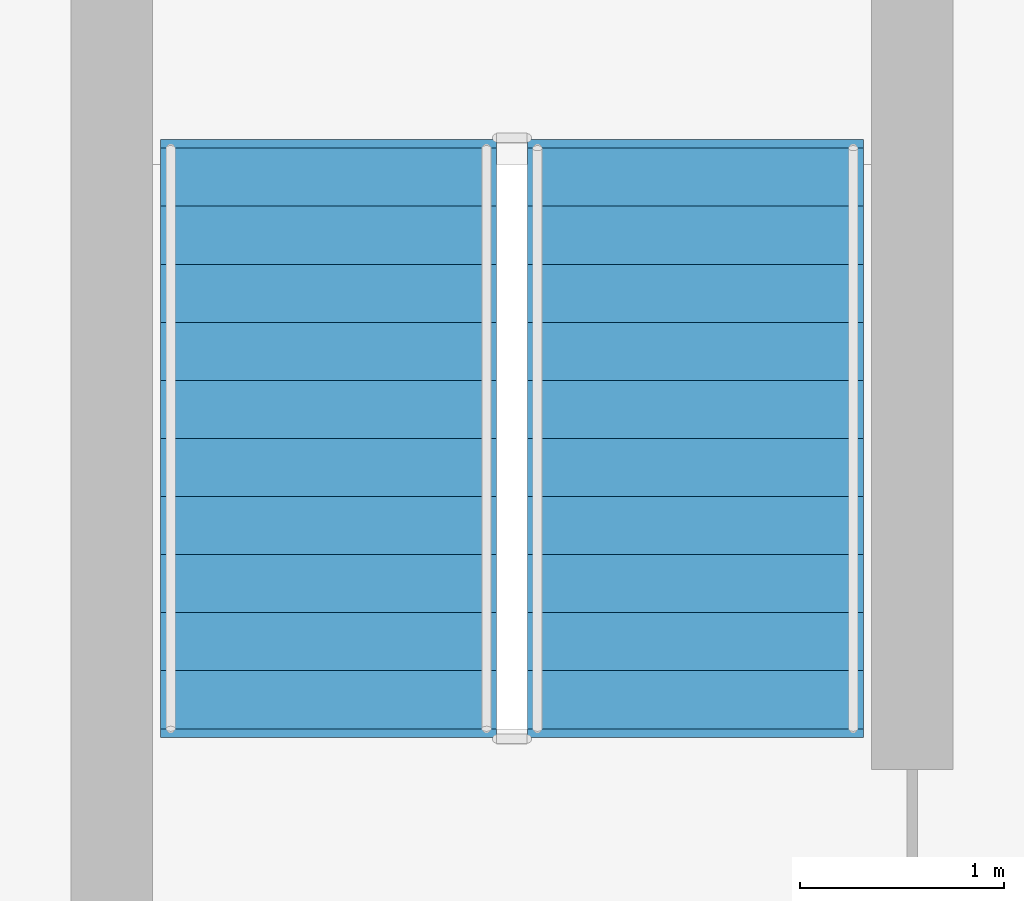
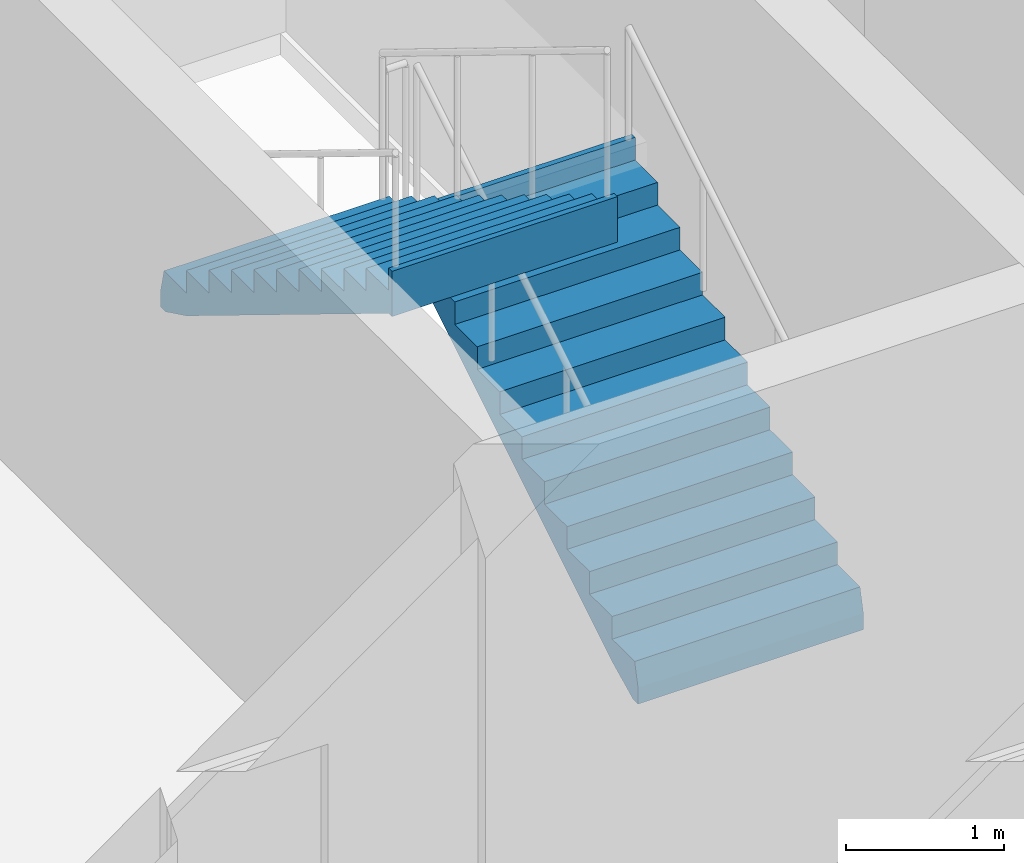
# One storey, part 7 of 8: 2 stair flights, 1 element without a shape of its own.
"""IFC4 building model written with IfcOpenShell, lengths in metres."""

from ifc_helpers import new_model, si_unit, direction, frame, origin, place, context, subcontext, project, spatial, polyline, outline, extrude, material, type_object, element, aggregate, save


model = new_model("IFC4")

# Units and contexts
model_context = context("Model", 3, precision=1e-05, world=origin(), true_north=direction((0.0, 1.0)))
body_context = subcontext(model_context, "Body", "Model", "MODEL_VIEW")
ifc_project = project(units=[si_unit("LENGTHUNIT", "METRE"), si_unit("AREAUNIT", "SQUARE_METRE"), si_unit("VOLUMEUNIT", "CUBIC_METRE"), si_unit("PLANEANGLEUNIT", "RADIAN"), si_unit("MASSUNIT", "GRAM", prefix="KILO")], contexts=[model_context])

# Site, building, storey
site_placement = place(None, origin())
site = spatial("IfcSite", under=ifc_project, at=site_placement, CompositionType="ELEMENT")
building_placement = place(site_placement, origin())
building = spatial("IfcBuilding", under=site, at=building_placement, Name="Nhamokura Convention Tower", CompositionType="ELEMENT")
storey_placement = place(building_placement, frame((0.0, 0.0, 292.949951171875)))
storey = spatial("IfcBuildingStorey", under=building, at=storey_placement, Name="L72", CompositionType="ELEMENT", Elevation=292.949951171875)

# Stair, stair flights
ifc_material_1 = material(Name="Concrete C40/50", Category="concrete")
stair_type = type_object("IfcStairType", Name="TowerCoreStair_1650", PredefinedType="HALF_TURN_STAIR", material=ifc_material_1)
stair_placement = place(storey_placement, origin())
stair = element("IfcStair", 1, at=stair_placement, inside=storey, type_object=stair_type, Name="L72 East Core Smokeproof Stair ST-02", PredefinedType="HALF_TURN_STAIR")
ifc_material_2 = material(Name="Concrete C40/50", Category="concrete")
stair_flight_type = type_object("IfcStairFlightType", Name="TowerCoreStair_1650_Flight", PredefinedType="STRAIGHT", material=ifc_material_2)
stair_flight_1_placement = place(storey_placement, frame((41.72509765625, 23.10009765625, 0.0), z_axis=(0.0, 0.0, 1.0), x_axis=(0.0, 1.0, 0.0)))
stair_flight_1 = element("IfcStairFlight", 2, at=stair_flight_1_placement, type_object=stair_flight_type, Name="ST-02 flight 1", NumberOfRisers=11, NumberOfTreads=10, PredefinedType="STRAIGHT", RiserHeight=0.175, TreadLength=0.285, context=body_context, shape_type="SweptSolid", body=[
    extrude(outline(polyline([(-0.0419921875, 0.0), (0.0, 0.175048828125), (0.284912109375, 0.175048828125), (0.284912109375, 0.35009765625), (0.570068359375, 0.35009765625), (0.570068359375, 0.52490234375), (0.85498046875, 0.52490234375), (0.85498046875, 0.699951171875), (1.139892578125, 0.699951171875), (1.139892578125, 0.875), (1.425048828125, 0.875), (1.425048828125, 1.050048828125), (1.7099609375, 1.050048828125), (1.7099609375, 1.22509765625), (1.9951171875, 1.22509765625), (1.9951171875, 1.39990234375), (2.280029296875, 1.39990234375), (2.280029296875, 1.574951171875), (2.56494140625, 1.574951171875), (2.56494140625, 1.75), (2.85009765625, 1.75), (2.85009765625, 1.925048828125), (2.89208984375, 1.925048828125), (2.89208984375, 1.573974609375), (2.85009765625, 1.573974609375), (0.286376953125, 0.0), (0.02001953125, -0.1298828125), (-0.0419921875, -0.1298828125), (-0.0419921875, 0.0)])), frame((0.0, 0.824951171875, 0.0), z_axis=(0.0, -1.0, 0.0), x_axis=(1.0, 0.0, 0.0)), (0.0, 0.0, 1.0), 1.64990234375),
])
stair_flight_2_placement = place(storey_placement, frame((39.925048828125, 25.949951171875, 1.925048828125), z_axis=(0.0, 0.0, 1.0), x_axis=(0.0, -1.0, 0.0)))
stair_flight_2 = element("IfcStairFlight", 3, at=stair_flight_2_placement, type_object=stair_flight_type, Name="ST-02 flight 2", NumberOfRisers=11, NumberOfTreads=10, PredefinedType="STRAIGHT", RiserHeight=0.175, TreadLength=0.285, context=body_context, shape_type="SweptSolid", body=[
    extrude(outline(polyline([(-0.0419921875, 0.0), (0.0, 0.175048828125), (0.284912109375, 0.175048828125), (0.284912109375, 0.35009765625), (0.570068359375, 0.35009765625), (0.570068359375, 0.52490234375), (0.85498046875, 0.52490234375), (0.85498046875, 0.699951171875), (1.139892578125, 0.699951171875), (1.139892578125, 0.875), (1.425048828125, 0.875), (1.425048828125, 1.050048828125), (1.7099609375, 1.050048828125), (1.7099609375, 1.22509765625), (1.9951171875, 1.22509765625), (1.9951171875, 1.39990234375), (2.280029296875, 1.39990234375), (2.280029296875, 1.574951171875), (2.56494140625, 1.574951171875), (2.56494140625, 1.75), (2.85009765625, 1.75), (2.85009765625, 1.925048828125), (2.89208984375, 1.925048828125), (2.89208984375, 1.573974609375), (2.85009765625, 1.573974609375), (0.286376953125, 0.0), (0.02001953125, -0.1298828125), (-0.0419921875, -0.1298828125), (-0.0419921875, 0.0)])), frame((0.0, 0.824951171875, 0.0), z_axis=(0.0, -1.0, 0.0), x_axis=(1.0, 0.0, 0.0)), (0.0, 0.0, 1.0), 1.64990234375),
])
aggregate(stair, [stair_flight_1, stair_flight_2])

save(model, "model.ifc")
